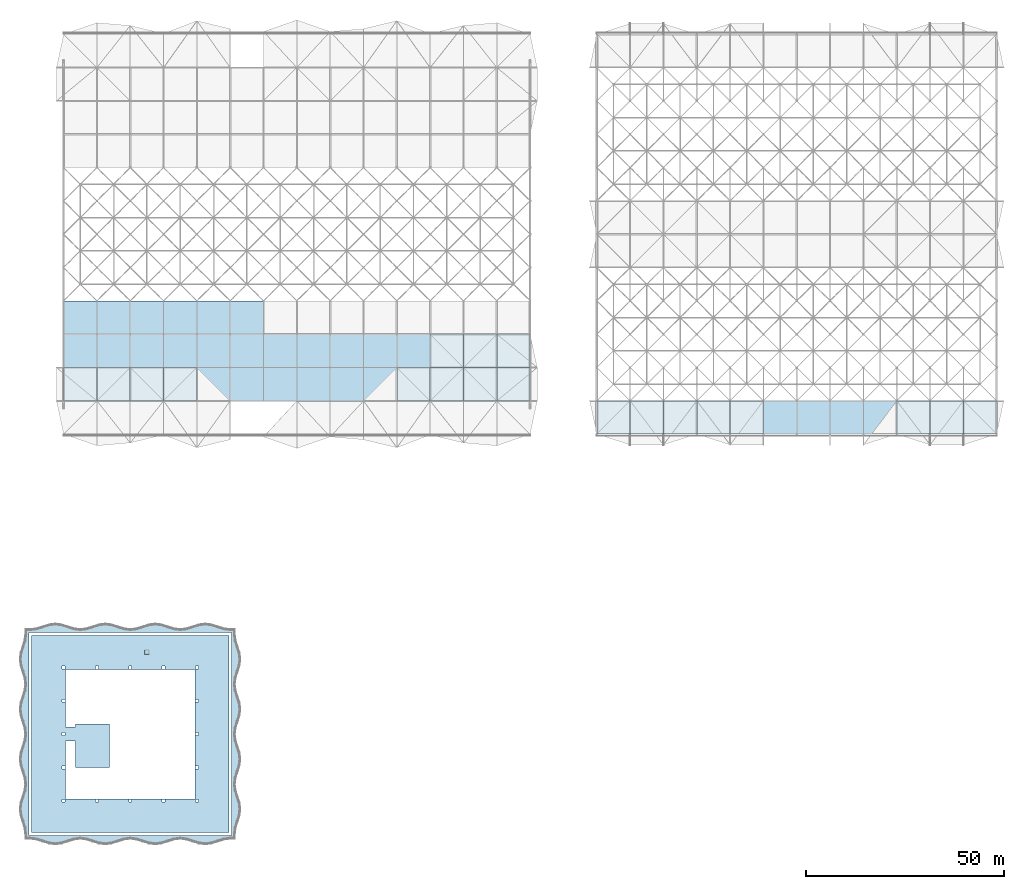
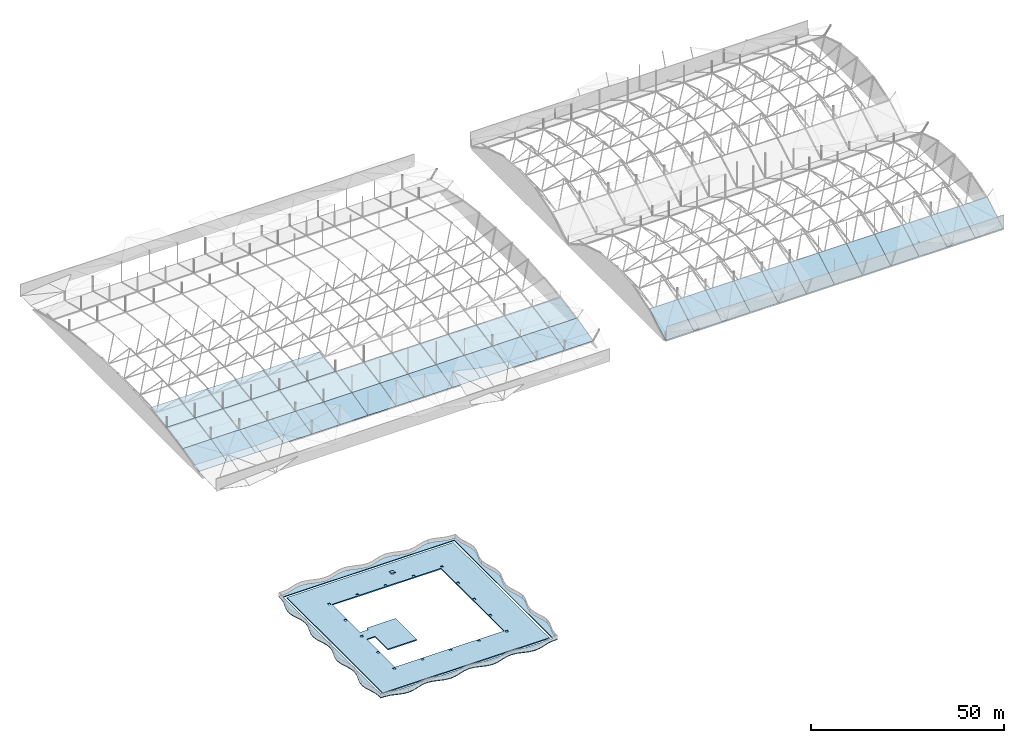
# One storey, part 17 of 111: 48 slabs, 1 plate.
"""IFC4 building model written with IfcOpenShell, lengths in metres."""

from ifc_helpers import new_model, si_unit, direction, frame, origin, place, context, subcontext, project, spatial, polyline, outline, extrude, material, layer, layer_set, type_object, element, save


model = new_model("IFC4")

# Units and contexts
model_context = context("Model", 3, precision=1e-05, world=origin(), true_north=direction((0.0, 1.0)))
body_context = subcontext(model_context, "Body", "Model", "MODEL_VIEW")
ifc_project = project(units=[si_unit("LENGTHUNIT", "METRE"), si_unit("AREAUNIT", "SQUARE_METRE"), si_unit("VOLUMEUNIT", "CUBIC_METRE"), si_unit("PLANEANGLEUNIT", "RADIAN"), si_unit("MASSUNIT", "GRAM", prefix="KILO")], contexts=[model_context])

# Site, building, storey
site_placement = place(None, origin())
site = spatial("IfcSite", under=ifc_project, at=site_placement, CompositionType="ELEMENT")
building_placement = place(site_placement, origin())
building = spatial("IfcBuilding", under=site, at=building_placement, Name="Rain Tree Exposition and Congress Centre", CompositionType="ELEMENT")
storey_placement = place(building_placement, frame((0.0, 0.0, 19.5)))
storey = spatial("IfcBuildingStorey", under=building, at=storey_placement, Name="RF", CompositionType="ELEMENT", Elevation=19.5)

# Plate
ifc_material_1 = material(Name="Insulated steel hatch lid", Category="steel")
ifc_layer_1 = layer(ifc_material_1, 0.050048828125)
ifc_layer_set_1 = layer_set([ifc_layer_1], Name="Insulated steel hatch lid")
plate_type = type_object("IfcPlateType", Name="Roof access lid 50", PredefinedType="SHEET", material=ifc_layer_set_1)
plate_placement = place(storey_placement, frame((0.0, 0.0, 0.35009765625)))
element("IfcPlate", 1, at=plate_placement, inside=storey, type_object=plate_type, Name="Roof hatch lid", PredefinedType="SHEET", context=body_context, shape_type="SweptSolid", body=[
    extrude(outline(polyline([(28.85009765625, 45.300048828125), (29.949951171875, 45.300048828125), (29.949951171875, 46.39990234375), (28.85009765625, 46.39990234375), (28.85009765625, 45.300048828125)])), origin(), (0.0, 0.0, 1.0), 0.0498046875),
])

# Slabs
ifc_material_2 = material(Name="Insulated roof panel, S350GD+Z steel skins", Category="steel")
ifc_layer_2 = layer(ifc_material_2, 0.1201171875)
ifc_layer_set_2 = layer_set([ifc_layer_2], Name="Insulated roof panel, S350GD+Z steel skins")
slab_type_1 = type_object("IfcSlabType", Name="Vault roof panel 120", PredefinedType="ROOF", material=ifc_layer_set_2)
slab_1_placement = place(storey_placement, frame((8.39990234375, 109.199951171875, 1.11669921875), z_axis=(0.0, -0.243338134698, 0.969941519991), x_axis=(1.0, 0.0, 0.0)))
element("IfcSlab", 2, at=slab_1_placement, inside=storey, type_object=slab_type_1, Name="Vault roof panel 15", PredefinedType="ROOF", context=body_context, shape_type="SweptSolid", body=[
    extrude(outline(polyline([(0.0, 0.0), (8.400146484375, 0.0), (8.400146484375, 8.660466957282742), (0.0, 8.660466957282742), (0.0, 0.0)])), origin(), (0.0, 0.0, -1.0), 0.1201171875),
])
slab_2_placement = place(storey_placement, frame((16.800048828125, 109.199951171875, 1.11669921875), z_axis=(0.0, -0.243338134698, 0.969941519991), x_axis=(1.0, 0.0, 0.0)))
element("IfcSlab", 3, at=slab_2_placement, inside=storey, type_object=slab_type_1, Name="Vault roof panel 16", PredefinedType="ROOF", context=body_context, shape_type="SweptSolid", body=[
    extrude(outline(polyline([(0.0, 0.0), (8.39990234375, 0.0), (8.39990234375, 8.660466957282742), (0.0, 8.660466957282742), (0.0, 0.0)])), origin(), (0.0, 0.0, -1.0), 0.1201171875),
])
slab_3_placement = place(storey_placement, frame((25.199951171875, 109.199951171875, 1.11669921875), z_axis=(0.0, -0.243338134698, 0.969941519991), x_axis=(1.0, 0.0, 0.0)))
element("IfcSlab", 4, at=slab_3_placement, inside=storey, type_object=slab_type_1, Name="Vault roof panel 17", PredefinedType="ROOF", context=body_context, shape_type="SweptSolid", body=[
    extrude(outline(polyline([(0.0, 0.0), (8.400146484375, 0.0), (8.400146484375, 8.660466957282742), (0.0, 8.660466957282742), (0.0, 0.0)])), origin(), (0.0, 0.0, -1.0), 0.1201171875),
])
for number, where, z_axis, x_axis, name in (
    (5, (33.60009765625, 109.199951171875, 1.11669921875), (0.0, -0.243338134698, 0.969941519991), (1.0, 0.0, 0.0), "Vault roof panel 18"),
    (6, (42.0, 109.199951171875, 1.11669921875), (0.0, -0.243338134698, 0.969941519991), (1.0, 0.0, 0.0), "Vault roof panel 19"),
):
    element("IfcSlab", number, at=place(storey_placement, frame(where, z_axis=z_axis, x_axis=x_axis)), inside=storey, type_object=slab_type_1, Name=name, PredefinedType="ROOF", context=body_context, shape_type="SweptSolid", body=[
        extrude(outline(polyline([(0.0, 0.0), (8.39990234375, 0.0), (8.39990234375, 8.660466957282742), (0.0, 8.660466957282742), (0.0, 0.0)])), origin(), (0.0, 0.0, -1.0), 0.1201171875),
    ])
slab_4_placement = place(storey_placement, frame((50.39990234375, 109.199951171875, 1.11669921875), z_axis=(0.0, -0.243338134698, 0.969941519991), x_axis=(1.0, 0.0, 0.0)))
element("IfcSlab", 7, at=slab_4_placement, inside=storey, type_object=slab_type_1, Name="Vault roof panel 20", PredefinedType="ROOF", context=body_context, shape_type="SweptSolid", body=[
    extrude(outline(polyline([(0.0, 0.0), (8.400146484375, 0.0), (8.400146484375, 8.660466957282742), (0.0, 8.660466957282742), (0.0, 0.0)])), origin(), (0.0, 0.0, -1.0), 0.1201171875),
])
slab_5_placement = place(storey_placement, frame((58.800048828125, 109.199951171875, 1.11669921875), z_axis=(0.0, -0.243338134698, 0.969941519991), x_axis=(1.0, 0.0, 0.0)))
element("IfcSlab", 8, at=slab_5_placement, inside=storey, type_object=slab_type_1, Name="Vault roof panel 21", PredefinedType="ROOF", context=body_context, shape_type="SweptSolid", body=[
    extrude(outline(polyline([(0.0, 0.0), (8.39990234375, 0.0), (8.39990234375, 8.660466957282742), (0.0, 8.660466957282742), (0.0, 0.0)])), origin(), (0.0, 0.0, -1.0), 0.1201171875),
])
slab_6_placement = place(storey_placement, frame((67.199951171875, 109.199951171875, 1.11669921875), z_axis=(0.0, -0.243338134698, 0.969941519991), x_axis=(1.0, 0.0, 0.0)))
element("IfcSlab", 9, at=slab_6_placement, inside=storey, type_object=slab_type_1, Name="Vault roof panel 22", PredefinedType="ROOF", context=body_context, shape_type="SweptSolid", body=[
    extrude(outline(polyline([(0.0, 0.0), (8.400146484375, 0.0), (8.400146484375, 8.660466957282742), (0.0, 8.660466957282742), (0.0, 0.0)])), origin(), (0.0, 0.0, -1.0), 0.1201171875),
])
for number, where, z_axis, x_axis, name in (
    (10, (75.60009765625, 109.199951171875, 1.11669921875), (0.0, -0.243338134698, 0.969941519991), (1.0, 0.0, 0.0), "Vault roof panel 23"),
    (11, (84.0, 109.199951171875, 1.11669921875), (0.0, -0.243338134698, 0.969941519991), (1.0, 0.0, 0.0), "Vault roof panel 24"),
):
    element("IfcSlab", number, at=place(storey_placement, frame(where, z_axis=z_axis, x_axis=x_axis)), inside=storey, type_object=slab_type_1, Name=name, PredefinedType="ROOF", context=body_context, shape_type="SweptSolid", body=[
        extrude(outline(polyline([(0.0, 0.0), (8.39990234375, 0.0), (8.39990234375, 8.660466957282742), (0.0, 8.660466957282742), (0.0, 0.0)])), origin(), (0.0, 0.0, -1.0), 0.1201171875),
    ])
slab_7_placement = place(storey_placement, frame((92.39990234375, 109.199951171875, 1.11669921875), z_axis=(0.0, -0.243338134698, 0.969941519991), x_axis=(1.0, 0.0, 0.0)))
element("IfcSlab", 12, at=slab_7_placement, inside=storey, type_object=slab_type_1, Name="Vault roof panel 25", PredefinedType="ROOF", context=body_context, shape_type="SweptSolid", body=[
    extrude(outline(polyline([(0.0, 0.0), (8.400146484375, 0.0), (8.400146484375, 8.660466957282742), (0.0, 8.660466957282742), (0.0, 0.0)])), origin(), (0.0, 0.0, -1.0), 0.1201171875),
])
slab_8_placement = place(storey_placement, frame((100.800048828125, 109.199951171875, 1.11669921875), z_axis=(0.0, -0.243338134698, 0.969941519991), x_axis=(1.0, 0.0, 0.0)))
element("IfcSlab", 13, at=slab_8_placement, inside=storey, type_object=slab_type_1, Name="Vault roof panel 26", PredefinedType="ROOF", context=body_context, shape_type="SweptSolid", body=[
    extrude(outline(polyline([(0.0, 0.0), (8.39990234375, 0.0), (8.39990234375, 8.660466957282742), (0.0, 8.660466957282742), (0.0, 0.0)])), origin(), (0.0, 0.0, -1.0), 0.1201171875),
])
slab_9_placement = place(storey_placement, frame((109.199951171875, 109.199951171875, 1.11669921875), z_axis=(0.0, -0.243338134698, 0.969941519991), x_axis=(1.0, 0.0, 0.0)))
element("IfcSlab", 14, at=slab_9_placement, inside=storey, type_object=slab_type_1, Name="Vault roof panel 27", PredefinedType="ROOF", context=body_context, shape_type="SweptSolid", body=[
    extrude(outline(polyline([(0.0, 0.0), (8.400146484375, 0.0), (8.400146484375, 8.660466957282742), (0.0, 8.660466957282742), (0.0, 0.0)])), origin(), (0.0, 0.0, -1.0), 0.1201171875),
])
slab_10_placement = place(storey_placement, frame((117.60009765625, 109.199951171875, 1.11669921875), z_axis=(0.0, -0.243338134698, 0.969941519991), x_axis=(1.0, 0.0, 0.0)))
element("IfcSlab", 15, at=slab_10_placement, inside=storey, type_object=slab_type_1, Name="Vault roof panel 28", PredefinedType="ROOF", context=body_context, shape_type="SweptSolid", body=[
    extrude(outline(polyline([(0.0, 0.0), (8.39990234375, 0.0), (8.39990234375, 8.660466957282742), (0.0, 8.660466957282742), (0.0, 0.0)])), origin(), (0.0, 0.0, -1.0), 0.1201171875),
])
slab_11_placement = place(storey_placement, frame((8.39990234375, 117.60009765625, 3.22412109375), z_axis=(0.0, -0.189245383977, 0.981929826741), x_axis=(1.0, 0.0, 0.0)))
element("IfcSlab", 16, at=slab_11_placement, inside=storey, type_object=slab_type_1, Name="Vault roof panel 29", PredefinedType="ROOF", context=body_context, shape_type="SweptSolid", body=[
    extrude(outline(polyline([(0.0, 0.0), (8.400146484375, 0.0), (8.400146484375, 8.55448333984341), (0.0, 8.55448333984341), (0.0, 0.0)])), origin(), (0.0, 0.0, -1.0), 0.1201171875),
])
slab_12_placement = place(storey_placement, frame((16.800048828125, 117.60009765625, 3.22412109375), z_axis=(0.0, -0.189245383977, 0.981929826741), x_axis=(1.0, 0.0, 0.0)))
element("IfcSlab", 17, at=slab_12_placement, inside=storey, type_object=slab_type_1, Name="Vault roof panel 30", PredefinedType="ROOF", context=body_context, shape_type="SweptSolid", body=[
    extrude(outline(polyline([(0.0, 0.0), (8.39990234375, 0.0), (8.39990234375, 8.554483339843411), (0.0, 8.554483339843411), (0.0, 0.0)])), origin(), (0.0, 0.0, -1.0), 0.1201171875),
])
slab_13_placement = place(storey_placement, frame((25.199951171875, 117.60009765625, 3.22412109375), z_axis=(0.0, -0.189245383977, 0.981929826741), x_axis=(1.0, 0.0, 0.0)))
element("IfcSlab", 18, at=slab_13_placement, inside=storey, type_object=slab_type_1, Name="Vault roof panel 31", PredefinedType="ROOF", context=body_context, shape_type="SweptSolid", body=[
    extrude(outline(polyline([(0.0, 0.0), (8.400146484375, 0.0), (8.400146484375, 8.55448333984341), (0.0, 8.55448333984341), (0.0, 0.0)])), origin(), (0.0, 0.0, -1.0), 0.1201171875),
])
for number, where, z_axis, x_axis, name in (
    (19, (33.60009765625, 117.60009765625, 3.22412109375), (0.0, -0.189245383977, 0.981929826741), (1.0, 0.0, 0.0), "Vault roof panel 32"),
    (20, (42.0, 117.60009765625, 3.22412109375), (0.0, -0.189245383977, 0.981929826741), (1.0, 0.0, 0.0), "Vault roof panel 33"),
):
    element("IfcSlab", number, at=place(storey_placement, frame(where, z_axis=z_axis, x_axis=x_axis)), inside=storey, type_object=slab_type_1, Name=name, PredefinedType="ROOF", context=body_context, shape_type="SweptSolid", body=[
        extrude(outline(polyline([(0.0, 0.0), (8.39990234375, 0.0), (8.39990234375, 8.554483339843411), (0.0, 8.554483339843411), (0.0, 0.0)])), origin(), (0.0, 0.0, -1.0), 0.1201171875),
    ])
slab_14_placement = place(storey_placement, frame((50.39990234375, 117.60009765625, 3.22412109375), z_axis=(0.0, -0.189245383977, 0.981929826741), x_axis=(1.0, 0.0, 0.0)))
element("IfcSlab", 21, at=slab_14_placement, inside=storey, type_object=slab_type_1, Name="Vault roof panel 34", PredefinedType="ROOF", context=body_context, shape_type="SweptSolid", body=[
    extrude(outline(polyline([(0.0, 0.0), (8.400146484375, 0.0), (8.400146484375, 8.55448333984341), (0.0, 8.55448333984341), (0.0, 0.0)])), origin(), (0.0, 0.0, -1.0), 0.1201171875),
])
slab_15_placement = place(storey_placement, frame((58.800048828125, 117.60009765625, 3.22412109375), z_axis=(0.0, -0.189245383977, 0.981929826741), x_axis=(1.0, 0.0, 0.0)))
element("IfcSlab", 22, at=slab_15_placement, inside=storey, type_object=slab_type_1, Name="Vault roof panel 35", PredefinedType="ROOF", context=body_context, shape_type="SweptSolid", body=[
    extrude(outline(polyline([(0.0, 0.0), (8.39990234375, 0.0), (8.39990234375, 8.554483339843411), (0.0, 8.554483339843411), (0.0, 0.0)])), origin(), (0.0, 0.0, -1.0), 0.1201171875),
])
slab_16_placement = place(storey_placement, frame((67.199951171875, 117.60009765625, 3.22412109375), z_axis=(0.0, -0.189245383977, 0.981929826741), x_axis=(1.0, 0.0, 0.0)))
element("IfcSlab", 23, at=slab_16_placement, inside=storey, type_object=slab_type_1, Name="Vault roof panel 36", PredefinedType="ROOF", context=body_context, shape_type="SweptSolid", body=[
    extrude(outline(polyline([(0.0, 0.0), (8.400146484375, 0.0), (8.400146484375, 8.55448333984341), (0.0, 8.55448333984341), (0.0, 0.0)])), origin(), (0.0, 0.0, -1.0), 0.1201171875),
])
for number, where, z_axis, x_axis, name in (
    (24, (75.60009765625, 117.60009765625, 3.22412109375), (0.0, -0.189245383977, 0.981929826741), (1.0, 0.0, 0.0), "Vault roof panel 37"),
    (25, (84.0, 117.60009765625, 3.22412109375), (0.0, -0.189245383977, 0.981929826741), (1.0, 0.0, 0.0), "Vault roof panel 38"),
):
    element("IfcSlab", number, at=place(storey_placement, frame(where, z_axis=z_axis, x_axis=x_axis)), inside=storey, type_object=slab_type_1, Name=name, PredefinedType="ROOF", context=body_context, shape_type="SweptSolid", body=[
        extrude(outline(polyline([(0.0, 0.0), (8.39990234375, 0.0), (8.39990234375, 8.554483339843411), (0.0, 8.554483339843411), (0.0, 0.0)])), origin(), (0.0, 0.0, -1.0), 0.1201171875),
    ])
slab_17_placement = place(storey_placement, frame((92.39990234375, 117.60009765625, 3.22412109375), z_axis=(0.0, -0.189245383977, 0.981929826741), x_axis=(1.0, 0.0, 0.0)))
element("IfcSlab", 26, at=slab_17_placement, inside=storey, type_object=slab_type_1, Name="Vault roof panel 39", PredefinedType="ROOF", context=body_context, shape_type="SweptSolid", body=[
    extrude(outline(polyline([(0.0, 0.0), (8.400146484375, 0.0), (8.400146484375, 8.55448333984341), (0.0, 8.55448333984341), (0.0, 0.0)])), origin(), (0.0, 0.0, -1.0), 0.1201171875),
])
slab_18_placement = place(storey_placement, frame((100.800048828125, 117.60009765625, 3.22412109375), z_axis=(0.0, -0.189245383977, 0.981929826741), x_axis=(1.0, 0.0, 0.0)))
element("IfcSlab", 27, at=slab_18_placement, inside=storey, type_object=slab_type_1, Name="Vault roof panel 40", PredefinedType="ROOF", context=body_context, shape_type="SweptSolid", body=[
    extrude(outline(polyline([(0.0, 0.0), (8.39990234375, 0.0), (8.39990234375, 8.554483339843411), (0.0, 8.554483339843411), (0.0, 0.0)])), origin(), (0.0, 0.0, -1.0), 0.1201171875),
])
slab_19_placement = place(storey_placement, frame((109.199951171875, 117.60009765625, 3.22412109375), z_axis=(0.0, -0.189245383977, 0.981929826741), x_axis=(1.0, 0.0, 0.0)))
element("IfcSlab", 28, at=slab_19_placement, inside=storey, type_object=slab_type_1, Name="Vault roof panel 41", PredefinedType="ROOF", context=body_context, shape_type="SweptSolid", body=[
    extrude(outline(polyline([(0.0, 0.0), (8.400146484375, 0.0), (8.400146484375, 8.55448333984341), (0.0, 8.55448333984341), (0.0, 0.0)])), origin(), (0.0, 0.0, -1.0), 0.1201171875),
])
slab_20_placement = place(storey_placement, frame((117.60009765625, 117.60009765625, 3.22412109375), z_axis=(0.0, -0.189245383977, 0.981929826741), x_axis=(1.0, 0.0, 0.0)))
element("IfcSlab", 29, at=slab_20_placement, inside=storey, type_object=slab_type_1, Name="Vault roof panel 42", PredefinedType="ROOF", context=body_context, shape_type="SweptSolid", body=[
    extrude(outline(polyline([(0.0, 0.0), (8.39990234375, 0.0), (8.39990234375, 8.554483339843411), (0.0, 8.554483339843411), (0.0, 0.0)])), origin(), (0.0, 0.0, -1.0), 0.1201171875),
])
slab_21_placement = place(storey_placement, frame((8.39990234375, 126.0, 4.843017578125), z_axis=(0.0, -0.135205730991, 0.990817546427), x_axis=(1.0, 0.0, 0.0)))
element("IfcSlab", 30, at=slab_21_placement, inside=storey, type_object=slab_type_1, Name="Vault roof panel 43", PredefinedType="ROOF", context=body_context, shape_type="SweptSolid", body=[
    extrude(outline(polyline([(0.0, 0.0), (8.400146484375, 0.0), (8.400146484375, 8.477748879238922), (0.0, 8.477748879238922), (0.0, 0.0)])), origin(), (0.0, 0.0, -1.0), 0.1201171875),
])
slab_22_placement = place(storey_placement, frame((16.800048828125, 126.0, 4.843017578125), z_axis=(0.0, -0.135205730991, 0.990817546427), x_axis=(1.0, 0.0, 0.0)))
element("IfcSlab", 31, at=slab_22_placement, inside=storey, type_object=slab_type_1, Name="Vault roof panel 44", PredefinedType="ROOF", context=body_context, shape_type="SweptSolid", body=[
    extrude(outline(polyline([(0.0, 0.0), (8.39990234375, 0.0), (8.39990234375, 8.477748879238922), (0.0, 8.477748879238922), (0.0, 0.0)])), origin(), (0.0, 0.0, -1.0), 0.1201171875),
])
slab_23_placement = place(storey_placement, frame((25.199951171875, 126.0, 4.843017578125), z_axis=(0.0, -0.135205730991, 0.990817546427), x_axis=(1.0, 0.0, 0.0)))
element("IfcSlab", 32, at=slab_23_placement, inside=storey, type_object=slab_type_1, Name="Vault roof panel 45", PredefinedType="ROOF", context=body_context, shape_type="SweptSolid", body=[
    extrude(outline(polyline([(0.0, 0.0), (8.400146484375, 0.0), (8.400146484375, 8.477748879238922), (0.0, 8.477748879238922), (0.0, 0.0)])), origin(), (0.0, 0.0, -1.0), 0.1201171875),
])
for number, where, z_axis, x_axis, name in (
    (33, (33.60009765625, 126.0, 4.843017578125), (0.0, -0.135205730991, 0.990817546427), (1.0, 0.0, 0.0), "Vault roof panel 46"),
    (34, (42.0, 126.0, 4.843017578125), (0.0, -0.135205730991, 0.990817546427), (1.0, 0.0, 0.0), "Vault roof panel 47"),
):
    element("IfcSlab", number, at=place(storey_placement, frame(where, z_axis=z_axis, x_axis=x_axis)), inside=storey, type_object=slab_type_1, Name=name, PredefinedType="ROOF", context=body_context, shape_type="SweptSolid", body=[
        extrude(outline(polyline([(0.0, 0.0), (8.39990234375, 0.0), (8.39990234375, 8.477748879238922), (0.0, 8.477748879238922), (0.0, 0.0)])), origin(), (0.0, 0.0, -1.0), 0.1201171875),
    ])
slab_24_placement = place(storey_placement, frame((50.39990234375, 126.0, 4.843017578125), z_axis=(0.0, -0.135205730991, 0.990817546427), x_axis=(1.0, 0.0, 0.0)))
element("IfcSlab", 35, at=slab_24_placement, inside=storey, type_object=slab_type_1, Name="Vault roof panel 48", PredefinedType="ROOF", context=body_context, shape_type="SweptSolid", body=[
    extrude(outline(polyline([(0.0, 0.0), (8.400146484375, 0.0), (8.400146484375, 8.477748879238922), (0.0, 8.477748879238922), (0.0, 0.0)])), origin(), (0.0, 0.0, -1.0), 0.1201171875),
])
slab_25_placement = place(storey_placement, frame((142.800048828125, 100.800048828125, 0.5), z_axis=(0.0, -0.503418138928, 0.864042925669), x_axis=(1.0, 0.0, 0.0)))
element("IfcSlab", 36, at=slab_25_placement, inside=storey, type_object=slab_type_1, Name="Vault roof panel 1", PredefinedType="ROOF", context=body_context, shape_type="SweptSolid", body=[
    extrude(outline(polyline([(0.0, 0.0), (8.39990234375, 0.0), (8.39990234375, 9.7216261995876), (0.0, 9.7216261995876), (0.0, 0.0)])), origin(), (0.0, 0.0, -1.0), 0.1201171875),
])
slab_26_placement = place(storey_placement, frame((151.199951171875, 100.800048828125, 0.5), z_axis=(0.0, -0.503418138928, 0.864042925669), x_axis=(1.0, 0.0, 0.0)))
element("IfcSlab", 37, at=slab_26_placement, inside=storey, type_object=slab_type_1, Name="Vault roof panel 2", PredefinedType="ROOF", context=body_context, shape_type="SweptSolid", body=[
    extrude(outline(polyline([(0.0, 0.0), (8.400146484375, 0.0), (8.400146484375, 9.7216261995876), (0.0, 9.7216261995876), (0.0, 0.0)])), origin(), (0.0, 0.0, -1.0), 0.1201171875),
])
for number, where, z_axis, x_axis, name in (
    (38, (159.60009765625, 100.800048828125, 0.5), (0.0, -0.503418138928, 0.864042925669), (1.0, 0.0, 0.0), "Vault roof panel 3"),
    (39, (168.0, 100.800048828125, 0.5), (0.0, -0.503418138928, 0.864042925669), (1.0, 0.0, 0.0), "Vault roof panel 4"),
):
    element("IfcSlab", number, at=place(storey_placement, frame(where, z_axis=z_axis, x_axis=x_axis)), inside=storey, type_object=slab_type_1, Name=name, PredefinedType="ROOF", context=body_context, shape_type="SweptSolid", body=[
        extrude(outline(polyline([(0.0, 0.0), (8.39990234375, 0.0), (8.39990234375, 9.7216261995876), (0.0, 9.7216261995876), (0.0, 0.0)])), origin(), (0.0, 0.0, -1.0), 0.1201171875),
    ])
slab_27_placement = place(storey_placement, frame((176.39990234375, 100.800048828125, 0.5), z_axis=(0.0, -0.503418138928, 0.864042925669), x_axis=(1.0, 0.0, 0.0)))
element("IfcSlab", 40, at=slab_27_placement, inside=storey, type_object=slab_type_1, Name="Vault roof panel 5", PredefinedType="ROOF", context=body_context, shape_type="SweptSolid", body=[
    extrude(outline(polyline([(0.0, 0.0), (8.400146484375, 0.0), (8.400146484375, 9.7216261995876), (0.0, 9.7216261995876), (0.0, 0.0)])), origin(), (0.0, 0.0, -1.0), 0.1201171875),
])
slab_28_placement = place(storey_placement, frame((184.800048828125, 100.800048828125, 0.5), z_axis=(0.0, -0.503418138928, 0.864042925669), x_axis=(1.0, 0.0, 0.0)))
element("IfcSlab", 41, at=slab_28_placement, inside=storey, type_object=slab_type_1, Name="Vault roof panel 6", PredefinedType="ROOF", context=body_context, shape_type="SweptSolid", body=[
    extrude(outline(polyline([(0.0, 0.0), (8.39990234375, 0.0), (8.39990234375, 9.7216261995876), (0.0, 9.7216261995876), (0.0, 0.0)])), origin(), (0.0, 0.0, -1.0), 0.1201171875),
])
slab_29_placement = place(storey_placement, frame((193.199951171875, 100.800048828125, 0.5), z_axis=(0.0, -0.503418138928, 0.864042925669), x_axis=(1.0, 0.0, 0.0)))
element("IfcSlab", 42, at=slab_29_placement, inside=storey, type_object=slab_type_1, Name="Vault roof panel 7", PredefinedType="ROOF", context=body_context, shape_type="SweptSolid", body=[
    extrude(outline(polyline([(0.0, 0.0), (8.400146484375, 0.0), (8.400146484375, 9.7216261995876), (0.0, 9.7216261995876), (0.0, 0.0)])), origin(), (0.0, 0.0, -1.0), 0.1201171875),
])
for number, where, z_axis, x_axis, name in (
    (43, (201.60009765625, 100.800048828125, 0.5), (0.0, -0.503418138928, 0.864042925669), (1.0, 0.0, 0.0), "Vault roof panel 8"),
    (44, (210.0, 100.800048828125, 0.5), (0.0, -0.503418138928, 0.864042925669), (1.0, 0.0, 0.0), "Vault roof panel 9"),
):
    element("IfcSlab", number, at=place(storey_placement, frame(where, z_axis=z_axis, x_axis=x_axis)), inside=storey, type_object=slab_type_1, Name=name, PredefinedType="ROOF", context=body_context, shape_type="SweptSolid", body=[
        extrude(outline(polyline([(0.0, 0.0), (8.39990234375, 0.0), (8.39990234375, 9.7216261995876), (0.0, 9.7216261995876), (0.0, 0.0)])), origin(), (0.0, 0.0, -1.0), 0.1201171875),
    ])
slab_30_placement = place(storey_placement, frame((218.39990234375, 100.800048828125, 0.5), z_axis=(0.0, -0.503418138928, 0.864042925669), x_axis=(1.0, 0.0, 0.0)))
element("IfcSlab", 45, at=slab_30_placement, inside=storey, type_object=slab_type_1, Name="Vault roof panel 10", PredefinedType="ROOF", context=body_context, shape_type="SweptSolid", body=[
    extrude(outline(polyline([(0.0, 0.0), (8.400146484375, 0.0), (8.400146484375, 9.7216261995876), (0.0, 9.7216261995876), (0.0, 0.0)])), origin(), (0.0, 0.0, -1.0), 0.1201171875),
])
slab_31_placement = place(storey_placement, frame((226.800048828125, 100.800048828125, 0.5), z_axis=(0.0, -0.503418138928, 0.864042925669), x_axis=(1.0, 0.0, 0.0)))
element("IfcSlab", 46, at=slab_31_placement, inside=storey, type_object=slab_type_1, Name="Vault roof panel 11", PredefinedType="ROOF", context=body_context, shape_type="SweptSolid", body=[
    extrude(outline(polyline([(0.0, 0.0), (8.39990234375, 0.0), (8.39990234375, 9.7216261995876), (0.0, 9.7216261995876), (0.0, 0.0)])), origin(), (0.0, 0.0, -1.0), 0.1201171875),
])
slab_32_placement = place(storey_placement, frame((235.199951171875, 100.800048828125, 0.5), z_axis=(0.0, -0.503418138928, 0.864042925669), x_axis=(1.0, 0.0, 0.0)))
element("IfcSlab", 47, at=slab_32_placement, inside=storey, type_object=slab_type_1, Name="Vault roof panel 12", PredefinedType="ROOF", context=body_context, shape_type="SweptSolid", body=[
    extrude(outline(polyline([(0.0, 0.0), (8.400146484375, 0.0), (8.400146484375, 9.7216261995876), (0.0, 9.7216261995876), (0.0, 0.0)])), origin(), (0.0, 0.0, -1.0), 0.1201171875),
])
ifc_material_3 = material(Name="Concrete C40/50", Category="concrete")
ifc_layer_3 = layer(ifc_material_3, 0.25)
ifc_layer_set_3 = layer_set([ifc_layer_3], Name="Concrete C40/50")
slab_type_2 = type_object("IfcSlabType", Name="Wave roof edge slab 250", PredefinedType="ROOF", material=ifc_layer_set_3)
slab_33_placement = place(storey_placement, frame((0.0, 0.0, -0.25)))
element("IfcSlab", 48, at=slab_33_placement, inside=storey, type_object=slab_type_2, Name="wing/ledge/RF/01", PredefinedType="ROOF", context=body_context, shape_type="SweptSolid", body=[
    extrude(outline(polyline([(-1.1875, -1.1875), (0.0, -1.1875), (1.574951171875, -1.392578125), (3.14990234375, -1.8876953125), (4.72509765625, -2.382568359375), (6.300048828125, -2.587646484375), (7.875, -2.382568359375), (9.449951171875, -1.8876953125), (11.02490234375, -1.392578125), (12.60009765625, -1.1875), (14.175048828125, -1.392578125), (15.75, -1.8876953125), (17.324951171875, -2.382568359375), (18.89990234375, -2.587646484375), (20.47509765625, -2.382568359375), (22.050048828125, -1.8876953125), (23.625, -1.392578125), (25.199951171875, -1.1875), (26.77490234375, -1.392578125), (28.35009765625, -1.8876953125), (29.925048828125, -2.382568359375), (31.5, -2.587646484375), (33.074951171875, -2.382568359375), (34.64990234375, -1.8876953125), (36.22509765625, -1.392578125), (37.800048828125, -1.1875), (39.375, -1.392578125), (40.949951171875, -1.8876953125), (42.52490234375, -2.382568359375), (44.10009765625, -2.587646484375), (45.675048828125, -2.382568359375), (47.25, -1.8876953125), (48.824951171875, -1.392578125), (50.39990234375, -1.1875), (51.587646484375, -1.1875), (51.587646484375, 0.0), (51.79248046875, 1.574951171875), (52.28759765625, 3.14990234375), (52.78271484375, 4.72509765625), (52.987548828125, 6.300048828125), (52.78271484375, 7.875), (52.28759765625, 9.449951171875), (51.79248046875, 11.02490234375), (51.587646484375, 12.60009765625), (51.79248046875, 14.175048828125), (52.28759765625, 15.75), (52.78271484375, 17.324951171875), (52.987548828125, 18.89990234375), (52.78271484375, 20.47509765625), (52.28759765625, 22.050048828125), (51.79248046875, 23.625), (51.587646484375, 25.199951171875), (51.79248046875, 26.77490234375), (52.28759765625, 28.35009765625), (52.78271484375, 29.925048828125), (52.987548828125, 31.5), (52.78271484375, 33.074951171875), (52.28759765625, 34.64990234375), (51.79248046875, 36.22509765625), (51.587646484375, 37.800048828125), (51.79248046875, 39.375), (52.28759765625, 40.949951171875), (52.78271484375, 42.52490234375), (52.987548828125, 44.10009765625), (52.78271484375, 45.675048828125), (52.28759765625, 47.25), (51.79248046875, 48.824951171875), (51.587646484375, 50.39990234375), (51.587646484375, 51.587646484375), (50.39990234375, 51.587646484375), (48.824951171875, 51.79248046875), (47.25, 52.28759765625), (45.675048828125, 52.78271484375), (44.10009765625, 52.987548828125), (42.52490234375, 52.78271484375), (40.949951171875, 52.28759765625), (39.375, 51.79248046875), (37.800048828125, 51.587646484375), (36.22509765625, 51.79248046875), (34.64990234375, 52.28759765625), (33.074951171875, 52.78271484375), (31.5, 52.987548828125), (29.925048828125, 52.78271484375), (28.35009765625, 52.28759765625), (26.77490234375, 51.79248046875), (25.199951171875, 51.587646484375), (23.625, 51.79248046875), (22.050048828125, 52.28759765625), (20.47509765625, 52.78271484375), (18.89990234375, 52.987548828125), (17.324951171875, 52.78271484375), (15.75, 52.28759765625), (14.175048828125, 51.79248046875), (12.60009765625, 51.587646484375), (11.02490234375, 51.79248046875), (9.449951171875, 52.28759765625), (7.875, 52.78271484375), (6.300048828125, 52.987548828125), (4.72509765625, 52.78271484375), (3.14990234375, 52.28759765625), (1.574951171875, 51.79248046875), (0.0, 51.587646484375), (-1.1875, 51.587646484375), (-1.1875, 50.39990234375), (-1.392578125, 48.824951171875), (-1.8876953125, 47.25), (-2.382568359375, 45.675048828125), (-2.587646484375, 44.10009765625), (-2.382568359375, 42.52490234375), (-1.8876953125, 40.949951171875), (-1.392578125, 39.375), (-1.1875, 37.800048828125), (-1.392578125, 36.22509765625), (-1.8876953125, 34.64990234375), (-2.382568359375, 33.074951171875), (-2.587646484375, 31.5), (-2.382568359375, 29.925048828125), (-1.8876953125, 28.35009765625), (-1.392578125, 26.77490234375), (-1.1875, 25.199951171875), (-1.392578125, 23.625), (-1.8876953125, 22.050048828125), (-2.382568359375, 20.47509765625), (-2.587646484375, 18.89990234375), (-2.382568359375, 17.324951171875), (-1.8876953125, 15.75), (-1.392578125, 14.175048828125), (-1.1875, 12.60009765625), (-1.392578125, 11.02490234375), (-1.8876953125, 9.449951171875), (-2.382568359375, 7.875), (-2.587646484375, 6.300048828125), (-2.382568359375, 4.72509765625), (-1.8876953125, 3.14990234375), (-1.392578125, 1.574951171875), (-1.1875, 0.0), (-1.1875, -1.1875)]), holes=[polyline([(50.75, 50.75), (50.75, -0.35009765625), (-0.35009765625, -0.35009765625), (-0.35009765625, 50.75), (50.75, 50.75)])]), origin(), (0.0, 0.0, 1.0), 0.25),
])
ifc_material_4 = material(Name="Precast concrete C50/60", Category="concrete")
ifc_layer_4 = layer(ifc_material_4, 0.35009765625)
ifc_layer_set_4 = layer_set([ifc_layer_4], Name="Precast concrete C50/60")
slab_type_3 = type_object("IfcSlabType", Name="Wing precast hollow-core roof 350", PredefinedType="ROOF", material=ifc_layer_set_4)
slab_34_placement = place(storey_placement, frame((0.0, 0.0, -0.35009765625)))
element("IfcSlab", 49, at=slab_34_placement, inside=storey, type_object=slab_type_3, Name="wing/slab/RF/01", PredefinedType="ROOF", context=body_context, shape_type="SweptSolid", body=[
    extrude(outline(polyline([(42.35009765625, 0.35009765625), (50.050048828125, 0.35009765625), (50.050048828125, 8.050048828125), (50.050048828125, 8.75), (50.050048828125, 16.449951171875), (50.050048828125, 17.14990234375), (50.050048828125, 24.85009765625), (50.050048828125, 25.550048828125), (50.050048828125, 33.25), (50.050048828125, 33.949951171875), (50.050048828125, 41.64990234375), (50.050048828125, 42.35009765625), (50.050048828125, 50.050048828125), (42.35009765625, 50.050048828125), (41.64990234375, 50.050048828125), (33.949951171875, 50.050048828125), (33.25, 50.050048828125), (25.550048828125, 50.050048828125), (24.85009765625, 50.050048828125), (17.14990234375, 50.050048828125), (16.449951171875, 50.050048828125), (8.75, 50.050048828125), (8.050048828125, 50.050048828125), (0.35009765625, 50.050048828125), (0.35009765625, 42.35009765625), (0.35009765625, 41.64990234375), (0.35009765625, 33.949951171875), (0.35009765625, 33.25), (0.35009765625, 25.550048828125), (0.35009765625, 24.85009765625), (0.35009765625, 17.14990234375), (0.35009765625, 16.449951171875), (0.35009765625, 8.75), (0.35009765625, 8.050048828125), (0.35009765625, 0.35009765625), (8.050048828125, 0.35009765625), (8.75, 0.35009765625), (16.449951171875, 0.35009765625), (17.14990234375, 0.35009765625), (24.85009765625, 0.35009765625), (25.550048828125, 0.35009765625), (33.25, 0.35009765625), (33.949951171875, 0.35009765625), (41.64990234375, 0.35009765625), (42.35009765625, 0.35009765625)]), holes=[polyline([(8.75, 8.050048828125), (8.050048828125, 8.050048828125), (8.050048828125, 8.75), (8.75, 8.75), (8.75, 8.050048828125)]), polyline([(8.75, 17.14990234375), (8.75, 16.449951171875), (8.050048828125, 16.449951171875), (8.050048828125, 17.14990234375), (8.75, 17.14990234375)]), polyline([(8.75, 25.550048828125), (8.75, 24.85009765625), (8.050048828125, 24.85009765625), (8.050048828125, 25.550048828125), (8.75, 25.550048828125)]), polyline([(8.75, 33.25), (8.050048828125, 33.25), (8.050048828125, 33.949951171875), (8.75, 33.949951171875), (8.75, 33.25)]), polyline([(8.75, 42.35009765625), (8.75, 41.64990234375), (8.050048828125, 41.64990234375), (8.050048828125, 42.35009765625), (8.75, 42.35009765625)]), polyline([(17.14990234375, 8.050048828125), (16.449951171875, 8.050048828125), (16.449951171875, 8.75), (17.14990234375, 8.75), (17.14990234375, 8.050048828125)]), polyline([(25.550048828125, 8.050048828125), (24.85009765625, 8.050048828125), (24.85009765625, 8.75), (25.550048828125, 8.75), (25.550048828125, 8.050048828125)]), polyline([(33.949951171875, 8.75), (33.949951171875, 8.050048828125), (33.25, 8.050048828125), (33.25, 8.75), (33.949951171875, 8.75)]), polyline([(17.14990234375, 42.35009765625), (17.14990234375, 41.64990234375), (16.449951171875, 41.64990234375), (16.449951171875, 42.35009765625), (17.14990234375, 42.35009765625)]), polyline([(25.550048828125, 42.35009765625), (25.550048828125, 41.64990234375), (24.85009765625, 41.64990234375), (24.85009765625, 42.35009765625), (25.550048828125, 42.35009765625)]), polyline([(33.949951171875, 41.64990234375), (33.25, 41.64990234375), (33.25, 42.35009765625), (33.949951171875, 42.35009765625), (33.949951171875, 41.64990234375)]), polyline([(29.85009765625, 45.39990234375), (28.949951171875, 45.39990234375), (28.949951171875, 46.300048828125), (29.85009765625, 46.300048828125), (29.85009765625, 45.39990234375)]), polyline([(42.35009765625, 8.050048828125), (41.64990234375, 8.050048828125), (41.64990234375, 8.75), (42.35009765625, 8.75), (42.35009765625, 8.050048828125)]), polyline([(42.35009765625, 17.14990234375), (42.35009765625, 16.449951171875), (41.64990234375, 16.449951171875), (41.64990234375, 17.14990234375), (42.35009765625, 17.14990234375)]), polyline([(42.35009765625, 24.85009765625), (41.64990234375, 24.85009765625), (41.64990234375, 25.550048828125), (42.35009765625, 25.550048828125), (42.35009765625, 24.85009765625)]), polyline([(42.35009765625, 33.949951171875), (42.35009765625, 33.25), (41.64990234375, 33.25), (41.64990234375, 33.949951171875), (42.35009765625, 33.949951171875)]), polyline([(42.35009765625, 41.64990234375), (41.64990234375, 41.64990234375), (41.64990234375, 42.35009765625), (42.35009765625, 42.35009765625), (42.35009765625, 41.64990234375)]), polyline([(8.89990234375, 8.89990234375), (8.89990234375, 23.449951171875), (11.39990234375, 23.449951171875), (11.39990234375, 16.800048828125), (20.0, 16.800048828125), (20.0, 27.800048828125), (11.39990234375, 27.800048828125), (11.39990234375, 26.949951171875), (8.89990234375, 26.949951171875), (8.89990234375, 41.5), (41.5, 41.5), (41.5, 8.89990234375), (8.89990234375, 8.89990234375)])]), origin(), (0.0, 0.0, 1.0), 0.35009765625),
])

save(model, "model.ifc")
